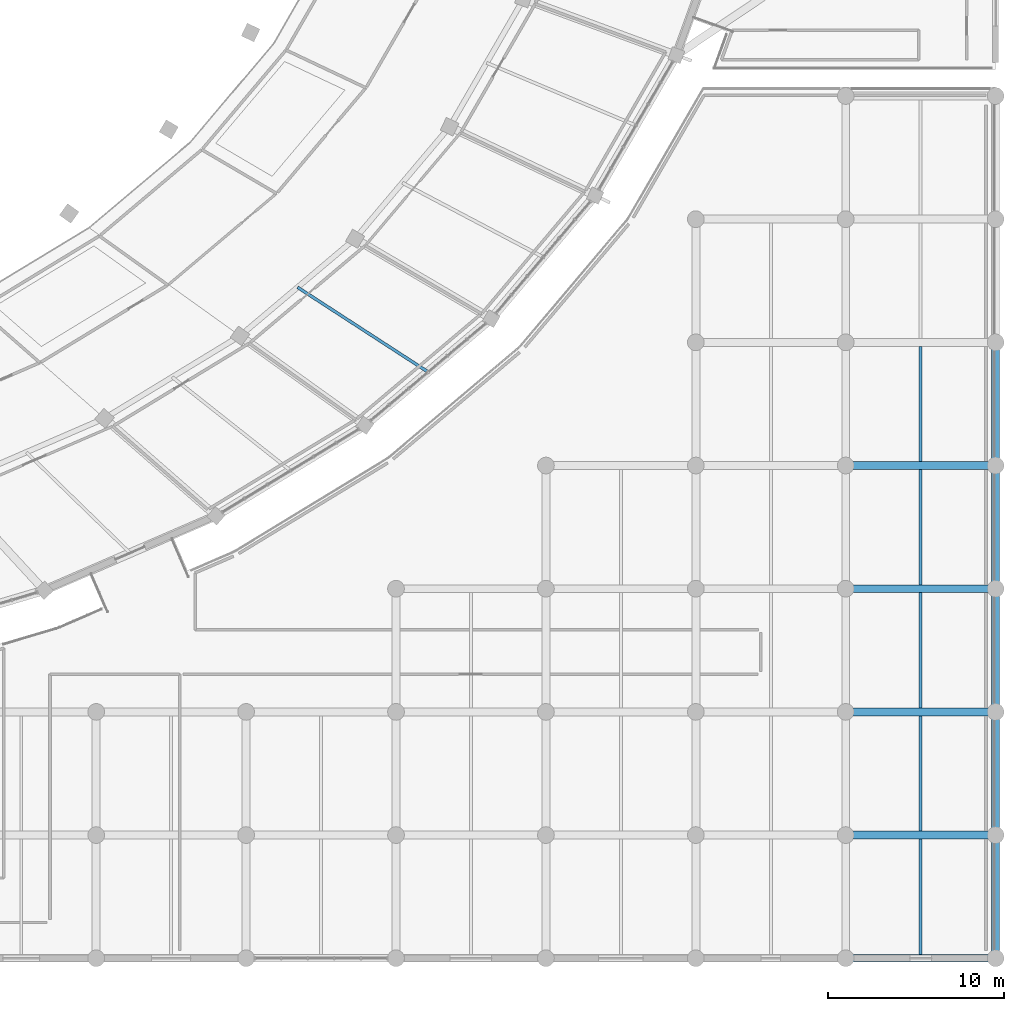
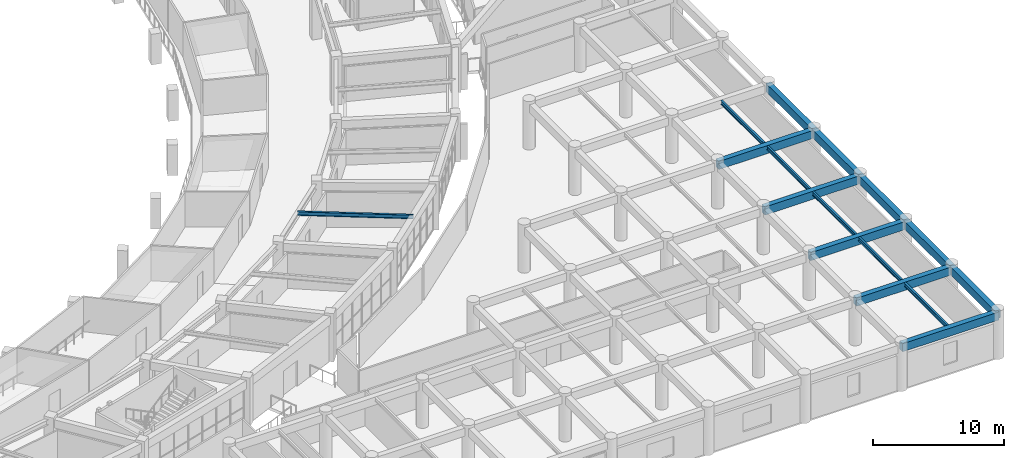
# One storey, part 39 of 141: 16 beams.
"""IFC4 building model written with IfcOpenShell, lengths in metres."""

from ifc_helpers import new_model, si_unit, direction, frame, origin, origin_2d, place, context, subcontext, project, spatial, rectangle, i_section, extrude, material, material_profile, profile_set, type_object, element, save


model = new_model("IFC4")

# Units and contexts
model_context = context("Model", 3, precision=1e-05, world=origin(), true_north=direction((0.0, 1.0)))
body_context = subcontext(model_context, "Body", "Model", "MODEL_VIEW")
ifc_project = project(units=[si_unit("LENGTHUNIT", "METRE"), si_unit("AREAUNIT", "SQUARE_METRE"), si_unit("VOLUMEUNIT", "CUBIC_METRE"), si_unit("PLANEANGLEUNIT", "RADIAN"), si_unit("MASSUNIT", "GRAM", prefix="KILO")], contexts=[model_context])

# Site, building, storey
site_placement = place(None, origin())
site = spatial("IfcSite", under=ifc_project, at=site_placement, CompositionType="ELEMENT")
building_placement = place(site_placement, origin())
building = spatial("IfcBuilding", under=site, at=building_placement, Name="Mphavela Belvedere Stadium", CompositionType="ELEMENT")
storey_placement = place(building_placement, frame((0.0, 0.0, 14.699951171875)))
storey = spatial("IfcBuildingStorey", under=building, at=storey_placement, Name="L03", CompositionType="ELEMENT", Elevation=14.699951171875)

# Beams
ifc_material_1 = material(Name="Steel S355", Category="steel")
ifc_material_profile_1 = material_profile(ifc_material_1, i_section(OverallWidth=0.169921875, OverallDepth=0.360107421875, WebThickness=0.008056640625, FlangeThickness=0.0126953125, at=origin_2d()), Name="IPE 360")
ifc_profile_set_1 = profile_set([ifc_material_profile_1], Name="Steel S355")
beam_type_1 = type_object("IfcBeamType", Name="BM-JOIST-IPE360", PredefinedType="JOIST", material=ifc_profile_set_1)
beam_placement = place(storey_placement, frame((190.330810546875, 38.127197265625, 4.070068359375), z_axis=(0.838915278194, -0.544262028818, 0.0), x_axis=(0.544262028818, 0.838915278194, 0.0)))
element("IfcBeam", 1, at=beam_placement, inside=storey, type_object=beam_type_1, Name="Concourse floor joist L03-43", PredefinedType="JOIST", context=body_context, shape_type="SweptSolid", body=[
    extrude(i_section(OverallWidth=0.169921875, OverallDepth=0.360107421875, WebThickness=0.008056640625, FlangeThickness=0.0126953125, at=origin_2d()), origin(), (0.0, 0.0, 1.0), 8.840087890625),
])
for number, where, z_axis, x_axis, name in (
    (2, (225.740478515625, 0.22509765625, 4.06005859375), (0.0, 1.0, 0.0), (-1.0, 0.0, 0.0), "South Axial Triumphal Peristyle Portico secondary joist L03 27-1"),
    (3, (225.740478515625, 7.22509765625, 4.06005859375), (0.0, 1.0, 0.0), (-1.0, 0.0, 0.0), "South Axial Triumphal Peristyle Portico secondary joist L03 27-2"),
    (4, (225.740478515625, 14.22509765625, 4.06005859375), (0.0, 1.0, 0.0), (-1.0, 0.0, 0.0), "South Axial Triumphal Peristyle Portico secondary joist L03 27-3"),
    (5, (225.740478515625, 21.22509765625, 4.06005859375), (0.0, 1.0, 0.0), (-1.0, 0.0, 0.0), "South Axial Triumphal Peristyle Portico secondary joist L03 27-4"),
    (6, (225.740478515625, 28.22509765625, 4.06005859375), (0.0, 1.0, 0.0), (-1.0, 0.0, 0.0), "South Axial Triumphal Peristyle Portico secondary joist L03 27-5"),
):
    element("IfcBeam", number, at=place(storey_placement, frame(where, z_axis=z_axis, x_axis=x_axis)), inside=storey, type_object=beam_type_1, Name=name, PredefinedType="JOIST", context=body_context, shape_type="SweptSolid", body=[
        extrude(i_section(OverallWidth=0.169921875, OverallDepth=0.360107421875, WebThickness=0.008056640625, FlangeThickness=0.0126953125, at=origin_2d()), origin(), (0.0, 0.0, 1.0), 6.5498046875),
    ])
ifc_material_2 = material(Name="Concrete C40/50", Category="concrete")
ifc_material_profile_2 = material_profile(ifc_material_2, rectangle(XDim=0.449951171875, YDim=0.75, at=origin_2d()), Name="RC 450x750")
ifc_profile_set_2 = profile_set([ifc_material_profile_2], Name="Concrete C40/50")
beam_type_2 = type_object("IfcBeamType", Name="BM-RC450x750", PredefinedType="BEAM", material=ifc_profile_set_2)
for number, where, z_axis, x_axis, name in (
    (7, (221.48095703125, 0.0, 3.864990234375), (1.0, 0.0, 0.0), (0.0, 1.0, 0.0), "South Axial Triumphal Peristyle Portico entablature beam X L03 27-1"),
    (8, (221.48095703125, 7.0, 3.864990234375), (1.0, 0.0, 0.0), (0.0, 1.0, 0.0), "South Axial Triumphal Peristyle Portico entablature beam X L03 27-2"),
    (9, (221.48095703125, 14.0, 3.864990234375), (1.0, 0.0, 0.0), (0.0, 1.0, 0.0), "South Axial Triumphal Peristyle Portico entablature beam X L03 27-3"),
    (10, (221.48095703125, 21.0, 3.864990234375), (1.0, 0.0, 0.0), (0.0, 1.0, 0.0), "South Axial Triumphal Peristyle Portico entablature beam X L03 27-4"),
    (11, (221.48095703125, 28.0, 3.864990234375), (1.0, 0.0, 0.0), (0.0, 1.0, 0.0), "South Axial Triumphal Peristyle Portico entablature beam X L03 27-5"),
):
    element("IfcBeam", number, at=place(storey_placement, frame(where, z_axis=z_axis, x_axis=x_axis)), inside=storey, type_object=beam_type_2, Name=name, PredefinedType="BEAM", context=body_context, shape_type="SweptSolid", body=[
        extrude(rectangle(XDim=0.449951171875, YDim=0.75, at=origin_2d()), origin(), (0.0, 0.0, 1.0), 8.51904296875),
    ])
for number, where, z_axis, x_axis, name in (
    (12, (230.0, 0.0, 3.864990234375), (0.0, 1.0, 0.0), (-1.0, 0.0, 0.0), "South Axial Triumphal Peristyle Portico entablature beam Y L03 28-1"),
    (13, (230.0, 7.0, 3.864990234375), (0.0, 1.0, 0.0), (-1.0, 0.0, 0.0), "South Axial Triumphal Peristyle Portico entablature beam Y L03 28-2"),
    (14, (230.0, 14.0, 3.864990234375), (0.0, 1.0, 0.0), (-1.0, 0.0, 0.0), "South Axial Triumphal Peristyle Portico entablature beam Y L03 28-3"),
    (15, (230.0, 21.0, 3.864990234375), (0.0, 1.0, 0.0), (-1.0, 0.0, 0.0), "South Axial Triumphal Peristyle Portico entablature beam Y L03 28-4"),
    (16, (230.0, 28.0, 3.864990234375), (0.0, 1.0, 0.0), (-1.0, 0.0, 0.0), "South Axial Triumphal Peristyle Portico entablature beam Y L03 28-5"),
):
    element("IfcBeam", number, at=place(storey_placement, frame(where, z_axis=z_axis, x_axis=x_axis)), inside=storey, type_object=beam_type_2, Name=name, PredefinedType="BEAM", context=body_context, shape_type="SweptSolid", body=[
        extrude(rectangle(XDim=0.449951171875, YDim=0.75, at=origin_2d()), origin(), (0.0, 0.0, 1.0), 7.0),
    ])

save(model, "model.ifc")
